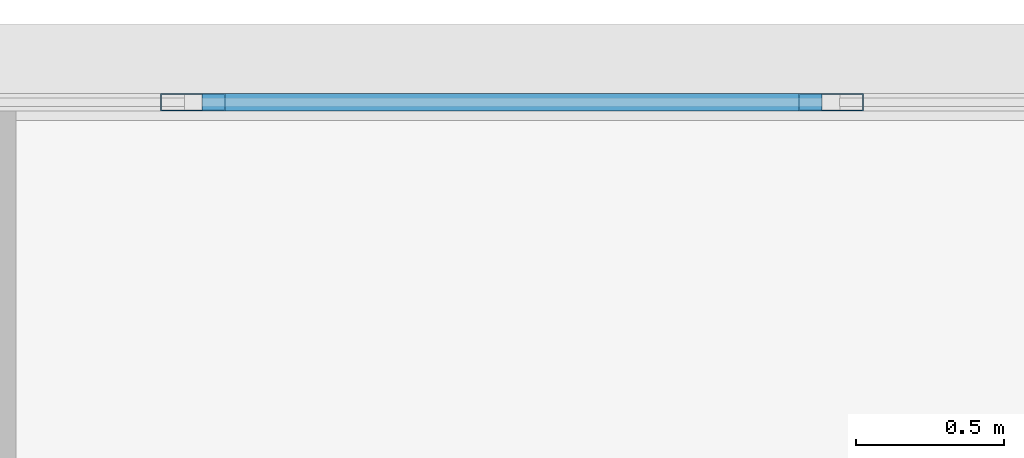
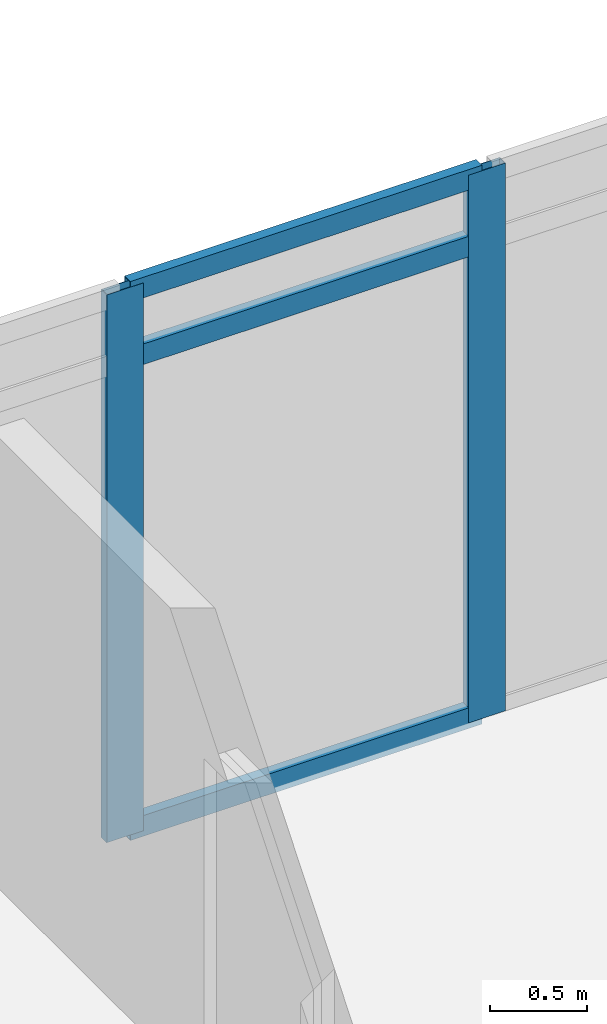
# One storey, part 22 of 38: 5 members, 1 element without a shape of its own.
"""IFC4 building model written with IfcOpenShell, lengths in metres."""

from ifc_helpers import new_model, si_unit, direction, frame, origin, origin_2d, place, context, subcontext, project, spatial, hollow_rectangle, extrude, material, material_profile, profile_set, type_object, element, aggregate, save


model = new_model("IFC4")

# Units and contexts
model_context = context("Model", 3, precision=1e-05, world=origin(), true_north=direction((0.0, 1.0)))
body_context = subcontext(model_context, "Body", "Model", "MODEL_VIEW")
ifc_project = project(units=[si_unit("LENGTHUNIT", "METRE"), si_unit("AREAUNIT", "SQUARE_METRE"), si_unit("VOLUMEUNIT", "CUBIC_METRE"), si_unit("PLANEANGLEUNIT", "RADIAN"), si_unit("MASSUNIT", "GRAM", prefix="KILO")], contexts=[model_context])

# Site, building, storey
site_placement = place(None, origin())
site = spatial("IfcSite", under=ifc_project, at=site_placement, CompositionType="ELEMENT")
building_placement = place(site_placement, origin())
building = spatial("IfcBuilding", under=site, at=building_placement, Name="Ostrander Bayou Hotel Tower", CompositionType="ELEMENT")
storey_placement = place(building_placement, frame((0.0, 0.0, 194.5)))
storey = spatial("IfcBuildingStorey", under=building, at=storey_placement, Name="L48", CompositionType="ELEMENT", Elevation=194.5)

# Curtain wall, members
ifc_material_1 = material(Name="Aluminium and clear glass", Category="aluminium")
curtain_wall_type = type_object("IfcCurtainWallType", Name="CW-BAR glazed wall", PredefinedType="NOTDEFINED", material=ifc_material_1)
curtain_wall_placement = place(storey_placement, origin())
curtain_wall = element("IfcCurtainWall", 1, at=curtain_wall_placement, inside=storey, type_object=curtain_wall_type, Name="CW-BAR L48:SB4N:T", PredefinedType="NOTDEFINED")
ifc_material_2 = material(Name="Aluminium", Category="aluminium")
ifc_material_profile_1 = material_profile(ifc_material_2, hollow_rectangle(XDim=0.06005859375, YDim=0.219970703125, WallThickness=0.00390625, at=origin_2d()))
ifc_profile_set_1 = profile_set([ifc_material_profile_1], Name="Aluminium")
member_type_1 = type_object("IfcMemberType", Name="CW-BR mullion 60 x 220 mm", PredefinedType="MULLION", material=ifc_profile_set_1)
member_1_placement = place(storey_placement, frame((-3.23388671875, 27.916015625, 0.0), z_axis=(0.0, 0.0, 1.0), x_axis=(0.0, 1.0, 0.0)))
member_1 = element("IfcMember", 2, at=member_1_placement, type_object=member_type_1, Name="CW-BAR mullion 5", PredefinedType="MULLION", context=body_context, shape_type="SweptSolid", body=[
    extrude(hollow_rectangle(XDim=0.06005859375, YDim=0.219970703125, WallThickness=0.00390625, at=origin_2d()), origin(), (0.0, 0.0, 1.0), 3.449951171875),
])
member_2_placement = place(storey_placement, frame((-1.077880859375, 27.916015625, 0.0), z_axis=(0.0, 0.0, 1.0), x_axis=(0.0, 1.0, 0.0)))
member_2 = element("IfcMember", 3, at=member_2_placement, type_object=member_type_1, Name="CW-BAR mullion 6", PredefinedType="MULLION", context=body_context, shape_type="SweptSolid", body=[
    extrude(hollow_rectangle(XDim=0.06005859375, YDim=0.219970703125, WallThickness=0.00390625, at=origin_2d()), origin(), (0.0, 0.0, 1.0), 3.449951171875),
])
ifc_material_3 = material(Name="Aluminium", Category="aluminium")
ifc_material_profile_2 = material_profile(ifc_material_3, hollow_rectangle(XDim=0.06005859375, YDim=0.1298828125, WallThickness=0.00390625, at=origin_2d()))
ifc_profile_set_2 = profile_set([ifc_material_profile_2], Name="Aluminium")
member_type_2 = type_object("IfcMemberType", Name="CW-BR transom 60 x 130 mm", PredefinedType="USERDEFINED", material=ifc_profile_set_2)
member_3_placement = place(storey_placement, frame((-3.203857421875, 27.916015625, 0.030029296875), z_axis=(1.0, 0.0, 0.0), x_axis=(0.0, 1.0, 0.0)))
member_3 = element("IfcMember", 4, at=member_3_placement, type_object=member_type_2, Name="CW-BAR transom 5.1", ObjectType="TRANSOM", PredefinedType="USERDEFINED", context=body_context, shape_type="SweptSolid", body=[
    extrude(hollow_rectangle(XDim=0.06005859375, YDim=0.1298828125, WallThickness=0.00390625, at=origin_2d()), origin(), (0.0, 0.0, 1.0), 2.095947265625),
])
member_4_placement = place(storey_placement, frame((-3.203857421875, 27.916015625, 3.0), z_axis=(1.0, 0.0, 0.0), x_axis=(0.0, 1.0, 0.0)))
member_4 = element("IfcMember", 5, at=member_4_placement, type_object=member_type_2, Name="CW-BAR transom 5.2", ObjectType="TRANSOM", PredefinedType="USERDEFINED", context=body_context, shape_type="SweptSolid", body=[
    extrude(hollow_rectangle(XDim=0.06005859375, YDim=0.1298828125, WallThickness=0.00390625, at=origin_2d()), origin(), (0.0, 0.0, 1.0), 2.095947265625),
])
member_5_placement = place(storey_placement, frame((-3.203857421875, 27.916015625, 3.419921875), z_axis=(1.0, 0.0, 0.0), x_axis=(0.0, 1.0, 0.0)))
member_5 = element("IfcMember", 6, at=member_5_placement, type_object=member_type_2, Name="CW-BAR transom 5.3", ObjectType="TRANSOM", PredefinedType="USERDEFINED", context=body_context, shape_type="SweptSolid", body=[
    extrude(hollow_rectangle(XDim=0.06005859375, YDim=0.1298828125, WallThickness=0.00390625, at=origin_2d()), origin(), (0.0, 0.0, 1.0), 2.095947265625),
])
aggregate(curtain_wall, [member_1, member_2, member_3, member_4, member_5])

save(model, "model.ifc")
